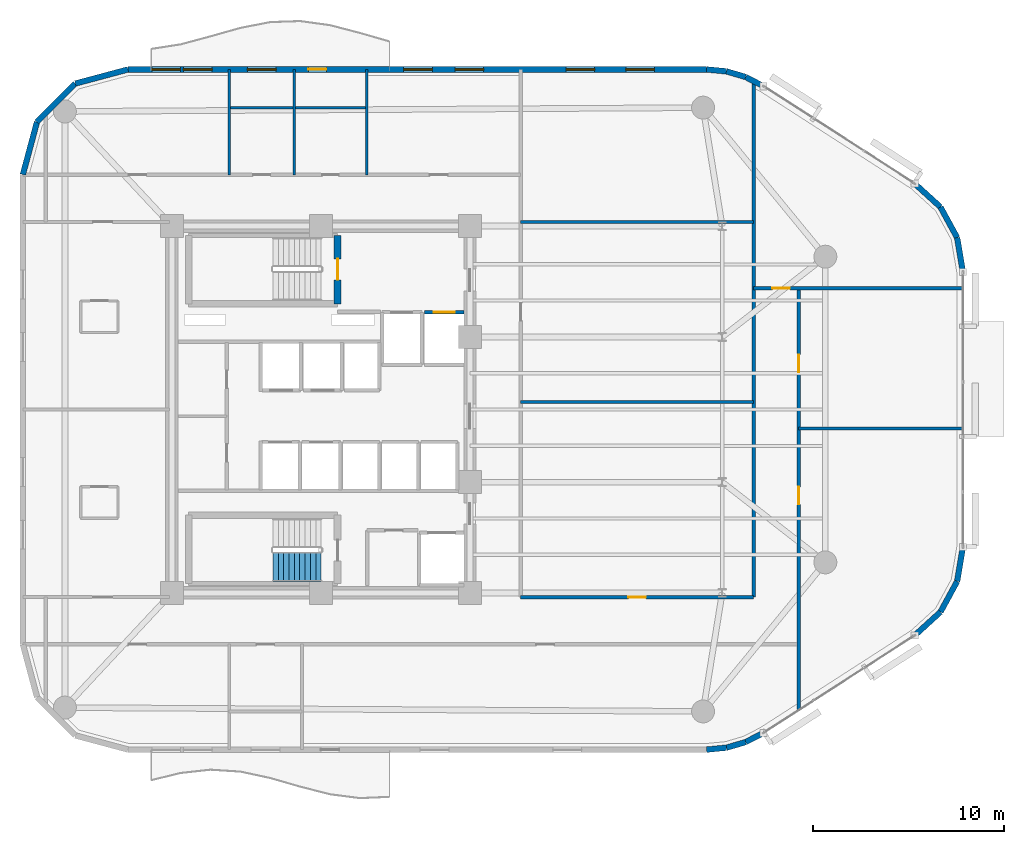
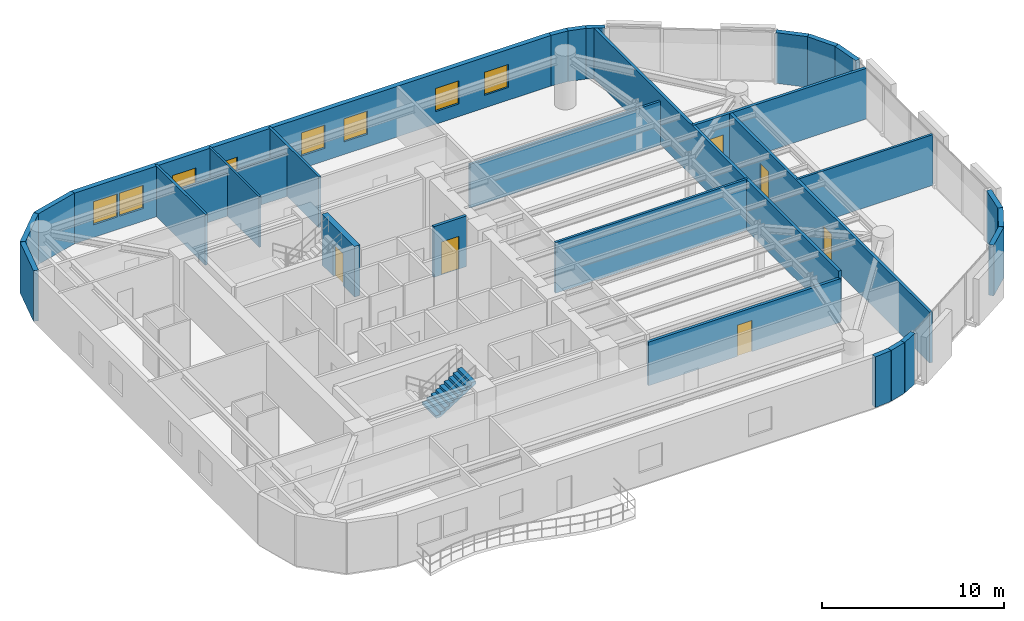
# One storey, part 12 of 15: 29 walls, 7 doors, 7 windows, 1 stair flight, 14 openings, 1 element without a shape of its own.
"""IFC4 building model written with IfcOpenShell, lengths in metres."""

from ifc_helpers import new_model, si_unit, direction, frame, frame_2d, origin, place, context, subcontext, project, spatial, polyline, rectangle, outline, extrude, material, layer, layer_set, type_object, element, fill, aggregate, save


model = new_model("IFC4")

# Units and contexts
model_context = context("Model", 3, precision=1e-05, world=origin(), true_north=direction((0.0, 1.0)))
body_context = subcontext(model_context, "Body", "Model", "MODEL_VIEW")
ifc_project = project(units=[si_unit("LENGTHUNIT", "METRE"), si_unit("AREAUNIT", "SQUARE_METRE"), si_unit("VOLUMEUNIT", "CUBIC_METRE"), si_unit("PLANEANGLEUNIT", "RADIAN"), si_unit("MASSUNIT", "GRAM", prefix="KILO")], contexts=[model_context])

# Site, building, storey
site_placement = place(None, origin())
site = spatial("IfcSite", under=ifc_project, at=site_placement, CompositionType="ELEMENT")
building_placement = place(site_placement, origin())
building = spatial("IfcBuilding", under=site, at=building_placement, Name="An Khanh Terracotta Commons", CompositionType="ELEMENT")
storey_placement = place(building_placement, frame((0.0, 0.0, 165.39990234375)))
storey = spatial("IfcBuildingStorey", under=building, at=storey_placement, Name="L43", CompositionType="ELEMENT", Elevation=165.39990234375)

# Wall, opening, door
ifc_material_1 = material(Name="Fire-Rated Gypsum Board on Steel Stud", Category="steel")
ifc_layer_1 = layer(ifc_material_1, 0.179931640625, Name="Fire-Rated Gypsum Board on Steel Stud")
ifc_layer_set_1 = layer_set([ifc_layer_1], Name="Fire-Rated Gypsum Board on Steel Stud")
wall_type_1 = type_object("IfcWallType", Name="WALL-CORR-180", PredefinedType="PARTITIONING", material=ifc_layer_set_1)
wall_1_placement = place(storey_placement, frame((34.820068359375, 29.080078125, 0.0), z_axis=(0.0, 0.0, 1.0), x_axis=(1.0, 0.0, 0.0)))
wall_1 = element("IfcWall", 1, at=wall_1_placement, inside=storey, type_object=wall_type_1, Name="L43 Core Wall LSH-L43-FFL-02-N", PredefinedType="PARTITIONING", context=body_context, shape_type="SweptSolid", body=[
    extrude(rectangle(XDim=2.079833984375, YDim=0.179931640625, at=frame_2d((1.0400390625, 0.0))), origin(), (0.0, 0.0, 1.0), 3.400146484375),
])
opening_1_placement = place(wall_1_placement, frame((0.489990234375, 0.0, 0.0)))
opening_1 = element("IfcOpeningElement", 2, at=opening_1_placement, cuts=wall_1, Name="Opening LD-FFL-02-L43", PredefinedType="OPENING", context=body_context, shape_type="SweptSolid", body=[
    extrude(rectangle(XDim=1.10009765625, YDim=2.199951171875, at=frame_2d((0.550048828125, 1.10009765625))), frame((0.0, 0.099853515625, 0.0), z_axis=(0.0, -1.0, 0.0), x_axis=(1.0, 0.0, 0.0)), (0.0, 0.0, 1.0), 0.199951171875),
])
ifc_material_2 = material(Name="Brushed Stainless Steel Fire Landing Door", Category="steel")
door_type_1 = type_object("IfcDoorType", Name="DOOR-LD-FFL-1100", OperationType="NOTDEFINED", PredefinedType="DOOR", material=ifc_material_2)
door_1_placement = place(opening_1_placement, origin())
door_1 = element("IfcDoor", 3, at=door_1_placement, inside=storey, type_object=door_type_1, Name="L43 Lift FFL-02 Sliding Landing Door", OperationType="DOUBLE_DOOR_SLIDING", OverallHeight=2.199951171875, OverallWidth=1.10009765625, PredefinedType="DOOR", context=body_context, shape_type="SweptSolid", body=[
    extrude(rectangle(XDim=1.10009765625, YDim=2.199951171875, at=frame_2d((0.550048828125, 1.10009765625))), frame((0.0, 0.02490234375, 0.0), z_axis=(0.0, -1.0, 0.0), x_axis=(1.0, 0.0, 0.0)), (0.0, 0.0, 1.0), 0.050048828125),
])
fill(opening_1, door_1)

wall_2_placement = place(storey_placement, frame((39.85009765625, 14.179931640625, 0.0), z_axis=(0.0, 0.0, 1.0), x_axis=(1.0, 0.0, 0.0)))
wall_2 = element("IfcWall", 4, at=wall_2_placement, inside=storey, type_object=wall_type_1, Name="L43 Interior Partition IW-L43-E004", PredefinedType="PARTITIONING", context=body_context, shape_type="SweptSolid", body=[
    extrude(rectangle(XDim=12.199951171875, YDim=0.179931640625, at=frame_2d((6.10009765625, 0.0))), origin(), (0.0, 0.0, 1.0), 2.93212890625),
])
opening_2_placement = place(wall_2_placement, frame((5.639892578125, 0.0, 0.0)))
opening_2 = element("IfcOpeningElement", 5, at=opening_2_placement, cuts=wall_2, Name="Opening D-RM", PredefinedType="OPENING", context=body_context, shape_type="SweptSolid", body=[
    extrude(rectangle(XDim=0.919921875, YDim=2.10009765625, at=frame_2d((0.4599609375, 1.050048828125))), frame((0.0, 0.099853515625, 0.0), z_axis=(0.0, -1.0, 0.0), x_axis=(1.0, 0.0, 0.0)), (0.0, 0.0, 1.0), 0.199951171875),
])
ifc_material_3 = material(Name="Engineered Hardwood Timber Leaf", Category="wood")
door_type_2 = type_object("IfcDoorType", Name="DOOR-INT-920", OperationType="NOTDEFINED", PredefinedType="DOOR", material=ifc_material_3)
door_2_placement = place(opening_2_placement, origin())
door_2 = element("IfcDoor", 6, at=door_2_placement, inside=storey, type_object=door_type_2, Name="L43 WSP1 Riverfront Reading Hall Door", OperationType="SINGLE_SWING_RIGHT", OverallHeight=2.10009765625, OverallWidth=0.919921875, PredefinedType="DOOR", context=body_context, shape_type="SweptSolid", body=[
    extrude(rectangle(XDim=0.919921875, YDim=2.10009765625, at=frame_2d((0.4599609375, 1.050048828125))), frame((0.0, 0.02490234375, 0.0), z_axis=(0.0, -1.0, 0.0), x_axis=(1.0, 0.0, 0.0)), (0.0, 0.0, 1.0), 0.050048828125),
])
fill(opening_2, door_2)

wall_3_placement = place(storey_placement, frame((52.050048828125, 30.35009765625, 0.0), z_axis=(0.0, 0.0, 1.0), x_axis=(1.0, 0.0, 0.0)))
wall_3 = element("IfcWall", 7, at=wall_3_placement, inside=storey, type_object=wall_type_1, Name="L43 Interior Partition IW-L43-E008", PredefinedType="PARTITIONING", context=body_context, shape_type="SweptSolid", body=[
    extrude(rectangle(XDim=10.949951171875, YDim=0.179931640625, at=frame_2d((5.47509765625, 0.0))), origin(), (0.0, 0.0, 1.0), 3.400146484375),
])
opening_3_placement = place(wall_3_placement, frame((0.97509765625, 0.0, 0.0)))
opening_3 = element("IfcOpeningElement", 8, at=opening_3_placement, cuts=wall_3, Name="Opening D-RM", PredefinedType="OPENING", context=body_context, shape_type="SweptSolid", body=[
    extrude(rectangle(XDim=0.919921875, YDim=2.10009765625, at=frame_2d((0.4599609375, 1.050048828125))), frame((0.0, 0.099853515625, 0.0), z_axis=(0.0, -1.0, 0.0), x_axis=(1.0, 0.0, 0.0)), (0.0, 0.0, 1.0), 0.199951171875),
])
door_3_placement = place(opening_3_placement, origin())
door_3 = element("IfcDoor", 9, at=door_3_placement, inside=storey, type_object=door_type_2, Name="L43 NCAP Collaborative Study Lounge Door", OperationType="SINGLE_SWING_RIGHT", OverallHeight=2.10009765625, OverallWidth=0.919921875, PredefinedType="DOOR", context=body_context, shape_type="SweptSolid", body=[
    extrude(rectangle(XDim=0.919921875, YDim=2.10009765625, at=frame_2d((0.4599609375, 1.050048828125))), frame((0.0, 0.02490234375, 0.0), z_axis=(0.0, -1.0, 0.0), x_axis=(1.0, 0.0, 0.0)), (0.0, 0.0, 1.0), 0.050048828125),
])
fill(opening_3, door_3)

# Wall
wall_4_placement = place(storey_placement, frame((52.050048828125, 14.179931640625, 0.0), z_axis=(0.0, 0.0, 1.0), x_axis=(0.0, 1.0, 0.0)))
element("IfcWall", 10, at=wall_4_placement, inside=storey, type_object=wall_type_1, Name="L43 Interior Partition IW-L43-E021", PredefinedType="PARTITIONING", context=body_context, shape_type="SweptSolid", body=[
    extrude(rectangle(XDim=27.008056640625, YDim=0.179931640625, at=frame_2d((13.50390625, 0.0))), origin(), (0.0, 0.0, 1.0), 3.400146484375),
])

# Wall, openings, doors
wall_5_placement = place(storey_placement, frame((54.39990234375, 8.260986328125, 0.0), z_axis=(0.0, 0.0, 1.0), x_axis=(0.0, 1.0, 0.0)))
wall_5 = element("IfcWall", 11, at=wall_5_placement, inside=storey, type_object=wall_type_1, Name="L43 Interior Partition IW-L43-E022", PredefinedType="PARTITIONING", context=body_context, shape_type="SweptSolid", body=[
    extrude(rectangle(XDim=22.089111328125, YDim=0.179931640625, at=frame_2d((11.04443359375, 0.0))), origin(), (0.0, 0.0, 1.0), 3.400146484375),
])
opening_4_placement = place(wall_5_placement, frame((17.694091796875, 0.0, 0.0)))
opening_4 = element("IfcOpeningElement", 12, at=opening_4_placement, cuts=wall_5, Name="Opening D-RM", PredefinedType="OPENING", context=body_context, shape_type="SweptSolid", body=[
    extrude(rectangle(XDim=0.919921875, YDim=2.10009765625, at=frame_2d((0.4599609375, 1.050048828125))), frame((0.0, 0.099853515625, 0.0), z_axis=(0.0, -1.0, 0.0), x_axis=(1.0, 0.0, 0.0)), (0.0, 0.0, 1.0), 0.199951171875),
])
opening_5_placement = place(wall_5_placement, frame((10.77099609375, 0.0, 0.0)))
opening_5 = element("IfcOpeningElement", 13, at=opening_5_placement, cuts=wall_5, Name="Opening D-RM", PredefinedType="OPENING", context=body_context, shape_type="SweptSolid", body=[
    extrude(rectangle(XDim=0.919921875, YDim=2.10009765625, at=frame_2d((0.4599609375, 1.050048828125))), frame((0.0, 0.099853515625, 0.0), z_axis=(0.0, -1.0, 0.0), x_axis=(1.0, 0.0, 0.0)), (0.0, 0.0, 1.0), 0.199951171875),
])
door_4_placement = place(opening_4_placement, origin())
door_4 = element("IfcDoor", 14, at=door_4_placement, inside=storey, type_object=door_type_2, Name="L43 ENO1 Collaborative Study Lounge Door", OperationType="SINGLE_SWING_LEFT", OverallHeight=2.10009765625, OverallWidth=0.919921875, PredefinedType="DOOR", context=body_context, shape_type="SweptSolid", body=[
    extrude(rectangle(XDim=0.919921875, YDim=2.10009765625, at=frame_2d((0.4599609375, 1.050048828125))), frame((0.0, 0.02490234375, 0.0), z_axis=(0.0, -1.0, 0.0), x_axis=(1.0, 0.0, 0.0)), (0.0, 0.0, 1.0), 0.050048828125),
])
fill(opening_4, door_4)
door_5_placement = place(opening_5_placement, origin())
door_5 = element("IfcDoor", 15, at=door_5_placement, inside=storey, type_object=door_type_2, Name="L43 ENO2 Collaborative Study Lounge Door", OperationType="SINGLE_SWING_RIGHT", OverallHeight=2.10009765625, OverallWidth=0.919921875, PredefinedType="DOOR", context=body_context, shape_type="SweptSolid", body=[
    extrude(rectangle(XDim=0.919921875, YDim=2.10009765625, at=frame_2d((0.4599609375, 1.050048828125))), frame((0.0, 0.02490234375, 0.0), z_axis=(0.0, -1.0, 0.0), x_axis=(1.0, 0.0, 0.0)), (0.0, 0.0, 1.0), 0.050048828125),
])
fill(opening_5, door_5)

# Walls
ifc_material_4 = material(Name="Precast concrete C40/50", Category="concrete")
ifc_layer_2 = layer(ifc_material_4, 0.300048828125, Name="Precast concrete C40/50")
ifc_layer_set_2 = layer_set([ifc_layer_2], Name="Precast concrete C40/50")
wall_type_2 = type_object("IfcWallType", Name="WALL-EXT-300", PredefinedType="SOLIDWALL", material=ifc_layer_set_2)
wall_6_placement = place(storey_placement, frame((49.58203125, 6.199951171875, 0.0), z_axis=(0.0, 0.0, 1.0), x_axis=(0.995426089968, 0.095534807324, 0.0)))
element("IfcWall", 16, at=wall_6_placement, inside=storey, type_object=wall_type_2, Name="L43 Insulated Terracotta Exterior Wall 5", PredefinedType="SOLIDWALL", context=body_context, shape_type="SweptSolid", body=[
    extrude(rectangle(XDim=1.0478515625, YDim=0.300048828125, at=frame_2d((0.52392578125, 0.0))), origin(), (0.0, 0.0, 1.0), 3.400146484375),
])
wall_7_placement = place(storey_placement, frame((50.625, 6.300048828125, 0.0), z_axis=(0.0, 0.0, 1.0), x_axis=(0.959528674476, 0.281610942363, 0.0)))
element("IfcWall", 17, at=wall_7_placement, inside=storey, type_object=wall_type_2, Name="L43 Insulated Terracotta Exterior Wall 6", PredefinedType="SOLIDWALL", context=body_context, shape_type="SweptSolid", body=[
    extrude(rectangle(XDim=1.04736328125, YDim=0.300048828125, at=frame_2d((0.523681640625, 0.0))), origin(), (0.0, 0.0, 1.0), 3.400146484375),
])
wall_8_placement = place(storey_placement, frame((51.6298828125, 6.594970703125, 0.0), z_axis=(0.0, 0.0, 1.0), x_axis=(0.888283247196, 0.459296062198, 0.0)))
element("IfcWall", 18, at=wall_8_placement, inside=storey, type_object=wall_type_2, Name="L43 Insulated Terracotta Exterior Wall 7", PredefinedType="SOLIDWALL", context=body_context, shape_type="SweptSolid", body=[
    extrude(rectangle(XDim=1.047119140625, YDim=0.300048828125, at=frame_2d((0.5234375, 0.0))), origin(), (0.0, 0.0, 1.0), 3.400146484375),
])
wall_9_placement = place(storey_placement, frame((60.47802734375, 12.176025390625, 0.0), z_axis=(0.0, 0.0, 1.0), x_axis=(0.73947929393, 0.673179302897, 0.0)))
element("IfcWall", 19, at=wall_9_placement, inside=storey, type_object=wall_type_2, Name="L43 Insulated Terracotta Exterior Wall 9", PredefinedType="SOLIDWALL", context=body_context, shape_type="SweptSolid", body=[
    extrude(rectangle(XDim=1.82275390625, YDim=0.300048828125, at=frame_2d((0.911376953125, 0.0))), origin(), (0.0, 0.0, 1.0), 3.400146484375),
])
wall_10_placement = place(storey_placement, frame((61.825927734375, 13.403076171875, 0.0), z_axis=(0.0, 0.0, 1.0), x_axis=(0.478608030646, 0.878028674362, 0.0)))
element("IfcWall", 20, at=wall_10_placement, inside=storey, type_object=wall_type_2, Name="L43 Insulated Terracotta Exterior Wall 10", PredefinedType="SOLIDWALL", context=body_context, shape_type="SweptSolid", body=[
    extrude(rectangle(XDim=1.822021484375, YDim=0.300048828125, at=frame_2d((0.9111328125, 0.0))), origin(), (0.0, 0.0, 1.0), 3.400146484375),
])
for number, where, z_axis, x_axis, name in (
    (21, (62.697998046875, 15.0029296875, 0.0), (0.0, 0.0, 1.0), (0.165724081207, 0.986172159873, 0.0), "L43 Insulated Terracotta Exterior Wall 11"),
    (22, (63.0, 31.199951171875, 0.0), (0.0, 0.0, 1.0), (-0.165724081207, 0.986172159873, 0.0), "L43 Insulated Terracotta Exterior Wall 13"),
):
    element("IfcWall", number, at=place(storey_placement, frame(where, z_axis=z_axis, x_axis=x_axis)), inside=storey, type_object=wall_type_2, Name=name, PredefinedType="SOLIDWALL", context=body_context, shape_type="SweptSolid", body=[
        extrude(rectangle(XDim=1.822265625, YDim=0.300048828125, at=frame_2d((0.9111328125, 0.0))), origin(), (0.0, 0.0, 1.0), 3.400146484375),
    ])
wall_11_placement = place(storey_placement, frame((62.697998046875, 32.9970703125, 0.0), z_axis=(0.0, 0.0, 1.0), x_axis=(-0.478608030646, 0.878028674362, 0.0)))
element("IfcWall", 23, at=wall_11_placement, inside=storey, type_object=wall_type_2, Name="L43 Insulated Terracotta Exterior Wall 14", PredefinedType="SOLIDWALL", context=body_context, shape_type="SweptSolid", body=[
    extrude(rectangle(XDim=1.822021484375, YDim=0.300048828125, at=frame_2d((0.9111328125, 0.0))), origin(), (0.0, 0.0, 1.0), 3.400146484375),
])
wall_12_placement = place(storey_placement, frame((61.825927734375, 34.596923828125, 0.0), z_axis=(0.0, 0.0, 1.0), x_axis=(-0.73947929393, 0.673179302897, 0.0)))
element("IfcWall", 24, at=wall_12_placement, inside=storey, type_object=wall_type_2, Name="L43 Insulated Terracotta Exterior Wall 15", PredefinedType="SOLIDWALL", context=body_context, shape_type="SweptSolid", body=[
    extrude(rectangle(XDim=1.82275390625, YDim=0.300048828125, at=frame_2d((0.911376953125, 0.0))), origin(), (0.0, 0.0, 1.0), 3.400146484375),
])
wall_13_placement = place(storey_placement, frame((52.56005859375, 40.924072265625, 0.0), z_axis=(0.0, 0.0, 1.0), x_axis=(-0.888283247196, 0.459296062198, 0.0)))
element("IfcWall", 25, at=wall_13_placement, inside=storey, type_object=wall_type_2, Name="L43 Insulated Terracotta Exterior Wall 17", PredefinedType="SOLIDWALL", context=body_context, shape_type="SweptSolid", body=[
    extrude(rectangle(XDim=1.047119140625, YDim=0.300048828125, at=frame_2d((0.5234375, 0.0))), origin(), (0.0, 0.0, 1.0), 3.400146484375),
])
wall_14_placement = place(storey_placement, frame((51.6298828125, 41.405029296875, 0.0), z_axis=(0.0, 0.0, 1.0), x_axis=(-0.959528674476, 0.281610942363, 0.0)))
element("IfcWall", 26, at=wall_14_placement, inside=storey, type_object=wall_type_2, Name="L43 Insulated Terracotta Exterior Wall 18", PredefinedType="SOLIDWALL", context=body_context, shape_type="SweptSolid", body=[
    extrude(rectangle(XDim=1.04736328125, YDim=0.300048828125, at=frame_2d((0.523681640625, 0.0))), origin(), (0.0, 0.0, 1.0), 3.400146484375),
])
wall_15_placement = place(storey_placement, frame((50.625, 41.699951171875, 0.0), z_axis=(0.0, 0.0, 1.0), x_axis=(-0.995426089968, 0.095534807324, 0.0)))
element("IfcWall", 27, at=wall_15_placement, inside=storey, type_object=wall_type_2, Name="L43 Insulated Terracotta Exterior Wall 19", PredefinedType="SOLIDWALL", context=body_context, shape_type="SweptSolid", body=[
    extrude(rectangle(XDim=1.0478515625, YDim=0.300048828125, at=frame_2d((0.52392578125, 0.0))), origin(), (0.0, 0.0, 1.0), 3.400146484375),
])

# Wall, openings, door, windows
wall_16_placement = place(storey_placement, frame((49.58203125, 41.800048828125, 0.0), z_axis=(0.0, 0.0, 1.0), x_axis=(-1.0, 0.0, 0.0)))
wall_16 = element("IfcWall", 28, at=wall_16_placement, inside=storey, type_object=wall_type_2, Name="L43 Insulated Terracotta Exterior Wall 20", PredefinedType="SOLIDWALL", context=body_context, shape_type="SweptSolid", body=[
    extrude(rectangle(XDim=30.281982421875, YDim=0.300048828125, at=frame_2d((15.14111328125, 0.0))), origin(), (0.0, 0.0, 1.0), 3.400146484375),
])
opening_6_placement = place(wall_16_placement, frame((19.89501953125, 0.0, 0.0)))
opening_6 = element("IfcOpeningElement", 29, at=opening_6_placement, cuts=wall_16, Name="Opening D-BAL", PredefinedType="OPENING", context=body_context, shape_type="SweptSolid", body=[
    extrude(rectangle(XDim=0.949951171875, YDim=2.199951171875, at=frame_2d((0.47509765625, 1.10009765625))), frame((0.0, 0.159912109375, 0.0), z_axis=(0.0, -1.0, 0.0), x_axis=(1.0, 0.0, 0.0)), (0.0, 0.0, 1.0), 0.320068359375),
])
opening_7_placement = place(wall_16_placement, frame((2.72705078125, 0.0, 0.85009765625)))
opening_7 = element("IfcOpeningElement", 30, at=opening_7_placement, cuts=wall_16, Name="Opening W-03", PredefinedType="OPENING", context=body_context, shape_type="SweptSolid", body=[
    extrude(rectangle(XDim=1.5, YDim=1.550048828125, at=frame_2d((0.75, 0.77490234375))), frame((0.0, 0.159912109375, 0.0), z_axis=(0.0, -1.0, 0.0), x_axis=(1.0, 0.0, 0.0)), (0.0, 0.0, 1.0), 0.320068359375),
])
opening_8_placement = place(wall_16_placement, frame((5.85498046875, 0.0, 0.85009765625)))
opening_8 = element("IfcOpeningElement", 31, at=opening_8_placement, cuts=wall_16, Name="Opening W-03", PredefinedType="OPENING", context=body_context, shape_type="SweptSolid", body=[
    extrude(rectangle(XDim=1.5, YDim=1.550048828125, at=frame_2d((0.75, 0.77490234375))), frame((0.0, 0.159912109375, 0.0), z_axis=(0.0, -1.0, 0.0), x_axis=(1.0, 0.0, 0.0)), (0.0, 0.0, 1.0), 0.320068359375),
])
opening_9_placement = place(wall_16_placement, frame((11.6650390625, 0.0, 0.85009765625)))
opening_9 = element("IfcOpeningElement", 32, at=opening_9_placement, cuts=wall_16, Name="Opening W-03", PredefinedType="OPENING", context=body_context, shape_type="SweptSolid", body=[
    extrude(rectangle(XDim=1.5, YDim=1.550048828125, at=frame_2d((0.75, 0.77490234375))), frame((0.0, 0.159912109375, 0.0), z_axis=(0.0, -1.0, 0.0), x_axis=(1.0, 0.0, 0.0)), (0.0, 0.0, 1.0), 0.320068359375),
])
opening_10_placement = place(wall_16_placement, frame((14.34912109375, 0.0, 0.85009765625)))
opening_10 = element("IfcOpeningElement", 33, at=opening_10_placement, cuts=wall_16, Name="Opening W-03", PredefinedType="OPENING", context=body_context, shape_type="SweptSolid", body=[
    extrude(rectangle(XDim=1.5, YDim=1.550048828125, at=frame_2d((0.75, 0.77490234375))), frame((0.0, 0.159912109375, 0.0), z_axis=(0.0, -1.0, 0.0), x_axis=(1.0, 0.0, 0.0)), (0.0, 0.0, 1.0), 0.320068359375),
])
opening_11_placement = place(wall_16_placement, frame((22.531982421875, 0.0, 0.85009765625)))
opening_11 = element("IfcOpeningElement", 34, at=opening_11_placement, cuts=wall_16, Name="Opening W-03", PredefinedType="OPENING", context=body_context, shape_type="SweptSolid", body=[
    extrude(rectangle(XDim=1.5, YDim=1.550048828125, at=frame_2d((0.75, 0.77490234375))), frame((0.0, 0.159912109375, 0.0), z_axis=(0.0, -1.0, 0.0), x_axis=(1.0, 0.0, 0.0)), (0.0, 0.0, 1.0), 0.320068359375),
])
opening_12_placement = place(wall_16_placement, frame((25.882080078125, 0.0, 0.85009765625)))
opening_12 = element("IfcOpeningElement", 35, at=opening_12_placement, cuts=wall_16, Name="Opening W-03", PredefinedType="OPENING", context=body_context, shape_type="SweptSolid", body=[
    extrude(rectangle(XDim=1.5, YDim=1.550048828125, at=frame_2d((0.75, 0.77490234375))), frame((0.0, 0.159912109375, 0.0), z_axis=(0.0, -1.0, 0.0), x_axis=(1.0, 0.0, 0.0)), (0.0, 0.0, 1.0), 0.320068359375),
])
opening_13_placement = place(wall_16_placement, frame((27.531982421875, 0.0, 0.85009765625)))
opening_13 = element("IfcOpeningElement", 36, at=opening_13_placement, cuts=wall_16, Name="Opening W-03", PredefinedType="OPENING", context=body_context, shape_type="SweptSolid", body=[
    extrude(rectangle(XDim=1.5, YDim=1.550048828125, at=frame_2d((0.75, 0.77490234375))), frame((0.0, 0.159912109375, 0.0), z_axis=(0.0, -1.0, 0.0), x_axis=(1.0, 0.0, 0.0)), (0.0, 0.0, 1.0), 0.320068359375),
])
ifc_material_5 = material(Name="Thermally Broken Aluminium and Low-E Glass", Category="aluminium")
door_type_3 = type_object("IfcDoorType", Name="DOOR-BALC-950", OperationType="NOTDEFINED", PredefinedType="DOOR", material=ifc_material_5)
door_6_placement = place(opening_6_placement, origin())
door_6 = element("IfcDoor", 37, at=door_6_placement, inside=storey, type_object=door_type_3, Name="L43 N Wave Balcony Glazed Door", OperationType="SINGLE_SWING_RIGHT", OverallHeight=2.199951171875, OverallWidth=0.949951171875, PredefinedType="DOOR", context=body_context, shape_type="SweptSolid", body=[
    extrude(rectangle(XDim=0.949951171875, YDim=2.199951171875, at=frame_2d((0.47509765625, 1.10009765625))), frame((0.0, 0.02490234375, 0.0), z_axis=(0.0, -1.0, 0.0), x_axis=(1.0, 0.0, 0.0)), (0.0, 0.0, 1.0), 0.050048828125),
])
fill(opening_6, door_6)
window_type = type_object("IfcWindowType", Name="WIN-Z3-1500x1550", PartitioningType="DOUBLE_PANEL_VERTICAL", PredefinedType="WINDOW", material=ifc_material_5)
window_1_placement = place(opening_7_placement, origin())
window_1 = element("IfcWindow", 38, at=window_1_placement, inside=storey, type_object=window_type, Name="L43 Operable Casement Window 20.1", OverallHeight=1.550048828125, OverallWidth=1.5, PartitioningType="DOUBLE_PANEL_VERTICAL", PredefinedType="WINDOW", context=body_context, shape_type="SweptSolid", body=[
    extrude(rectangle(XDim=1.5, YDim=1.550048828125, at=frame_2d((0.75, 0.77490234375))), frame((0.0, 0.030029296875, 0.0), z_axis=(0.0, -1.0, 0.0), x_axis=(1.0, 0.0, 0.0)), (0.0, 0.0, 1.0), 0.06005859375),
])
fill(opening_7, window_1)
window_2_placement = place(opening_8_placement, origin())
window_2 = element("IfcWindow", 39, at=window_2_placement, inside=storey, type_object=window_type, Name="L43 Operable Casement Window 20.2", OverallHeight=1.550048828125, OverallWidth=1.5, PartitioningType="DOUBLE_PANEL_VERTICAL", PredefinedType="WINDOW", context=body_context, shape_type="SweptSolid", body=[
    extrude(rectangle(XDim=1.5, YDim=1.550048828125, at=frame_2d((0.75, 0.77490234375))), frame((0.0, 0.030029296875, 0.0), z_axis=(0.0, -1.0, 0.0), x_axis=(1.0, 0.0, 0.0)), (0.0, 0.0, 1.0), 0.06005859375),
])
fill(opening_8, window_2)
window_3_placement = place(opening_9_placement, origin())
window_3 = element("IfcWindow", 40, at=window_3_placement, inside=storey, type_object=window_type, Name="L43 Operable Casement Window 20.3", OverallHeight=1.550048828125, OverallWidth=1.5, PartitioningType="DOUBLE_PANEL_VERTICAL", PredefinedType="WINDOW", context=body_context, shape_type="SweptSolid", body=[
    extrude(rectangle(XDim=1.5, YDim=1.550048828125, at=frame_2d((0.75, 0.77490234375))), frame((0.0, 0.030029296875, 0.0), z_axis=(0.0, -1.0, 0.0), x_axis=(1.0, 0.0, 0.0)), (0.0, 0.0, 1.0), 0.06005859375),
])
fill(opening_9, window_3)
window_4_placement = place(opening_10_placement, origin())
window_4 = element("IfcWindow", 41, at=window_4_placement, inside=storey, type_object=window_type, Name="L43 Operable Casement Window 20.4", OverallHeight=1.550048828125, OverallWidth=1.5, PartitioningType="DOUBLE_PANEL_VERTICAL", PredefinedType="WINDOW", context=body_context, shape_type="SweptSolid", body=[
    extrude(rectangle(XDim=1.5, YDim=1.550048828125, at=frame_2d((0.75, 0.77490234375))), frame((0.0, 0.030029296875, 0.0), z_axis=(0.0, -1.0, 0.0), x_axis=(1.0, 0.0, 0.0)), (0.0, 0.0, 1.0), 0.06005859375),
])
fill(opening_10, window_4)
window_5_placement = place(opening_11_placement, origin())
window_5 = element("IfcWindow", 42, at=window_5_placement, inside=storey, type_object=window_type, Name="L43 Operable Casement Window 20.5", OverallHeight=1.550048828125, OverallWidth=1.5, PartitioningType="DOUBLE_PANEL_VERTICAL", PredefinedType="WINDOW", context=body_context, shape_type="SweptSolid", body=[
    extrude(rectangle(XDim=1.5, YDim=1.550048828125, at=frame_2d((0.75, 0.77490234375))), frame((0.0, 0.030029296875, 0.0), z_axis=(0.0, -1.0, 0.0), x_axis=(1.0, 0.0, 0.0)), (0.0, 0.0, 1.0), 0.06005859375),
])
fill(opening_11, window_5)
window_6_placement = place(opening_12_placement, origin())
window_6 = element("IfcWindow", 43, at=window_6_placement, inside=storey, type_object=window_type, Name="L43 Operable Casement Window 20.6", OverallHeight=1.550048828125, OverallWidth=1.5, PartitioningType="DOUBLE_PANEL_VERTICAL", PredefinedType="WINDOW", context=body_context, shape_type="SweptSolid", body=[
    extrude(rectangle(XDim=1.5, YDim=1.550048828125, at=frame_2d((0.75, 0.77490234375))), frame((0.0, 0.030029296875, 0.0), z_axis=(0.0, -1.0, 0.0), x_axis=(1.0, 0.0, 0.0)), (0.0, 0.0, 1.0), 0.06005859375),
])
fill(opening_12, window_6)
window_7_placement = place(opening_13_placement, origin())
window_7 = element("IfcWindow", 44, at=window_7_placement, inside=storey, type_object=window_type, Name="L43 Operable Casement Window 20.7", OverallHeight=1.550048828125, OverallWidth=1.5, PartitioningType="DOUBLE_PANEL_VERTICAL", PredefinedType="WINDOW", context=body_context, shape_type="SweptSolid", body=[
    extrude(rectangle(XDim=1.5, YDim=1.550048828125, at=frame_2d((0.75, 0.77490234375))), frame((0.0, 0.030029296875, 0.0), z_axis=(0.0, -1.0, 0.0), x_axis=(1.0, 0.0, 0.0)), (0.0, 0.0, 1.0), 0.06005859375),
])
fill(opening_13, window_7)

# Walls
wall_17_placement = place(storey_placement, frame((19.300048828125, 41.800048828125, 0.0), z_axis=(0.0, 0.0, 1.0), x_axis=(-0.965908238586, -0.258884674387, 0.0)))
element("IfcWall", 45, at=wall_17_placement, inside=storey, type_object=wall_type_2, Name="L43 Insulated Terracotta Exterior Wall 21", PredefinedType="SOLIDWALL", context=body_context, shape_type="SweptSolid", body=[
    extrude(rectangle(XDim=2.84716796875, YDim=0.300048828125, at=frame_2d((1.423583984375, 0.0))), origin(), (0.0, 0.0, 1.0), 3.400146484375),
])
wall_18_placement = place(storey_placement, frame((16.550048828125, 41.06298828125, 0.0), z_axis=(0.0, 0.0, 1.0), x_axis=(-0.707106781187, -0.707106781187, 0.0)))
element("IfcWall", 46, at=wall_18_placement, inside=storey, type_object=wall_type_2, Name="L43 Insulated Terracotta Exterior Wall 22", PredefinedType="SOLIDWALL", context=body_context, shape_type="SweptSolid", body=[
    extrude(rectangle(XDim=2.8466796875, YDim=0.300048828125, at=frame_2d((1.42333984375, 0.0))), origin(), (0.0, 0.0, 1.0), 3.400146484375),
])
wall_19_placement = place(storey_placement, frame((14.537109375, 39.050048828125, 0.0), z_axis=(0.0, 0.0, 1.0), x_axis=(-0.258884674387, -0.965908238586, 0.0)))
element("IfcWall", 47, at=wall_19_placement, inside=storey, type_object=wall_type_2, Name="L43 Insulated Terracotta Exterior Wall 23", PredefinedType="SOLIDWALL", context=body_context, shape_type="SweptSolid", body=[
    extrude(rectangle(XDim=2.84716796875, YDim=0.300048828125, at=frame_2d((1.423583984375, 0.0))), origin(), (0.0, 0.0, 1.0), 3.400146484375),
])
ifc_material_6 = material(Name="Acoustic Gypsum Board Partition")
ifc_layer_3 = layer(ifc_material_6, 0.14990234375, Name="Acoustic Gypsum Board Partition")
ifc_layer_set_3 = layer_set([ifc_layer_3], Name="Acoustic Gypsum Board Partition")
wall_type_3 = type_object("IfcWallType", Name="WALL-PART-150", PredefinedType="PARTITIONING", material=ifc_layer_set_3)
wall_20_placement = place(storey_placement, frame((54.39990234375, 23.0, 0.0), z_axis=(0.0, 0.0, 1.0), x_axis=(1.0, 0.0, 0.0)))
element("IfcWall", 48, at=wall_20_placement, inside=storey, type_object=wall_type_3, Name="L43 Interior Partition IW-L43-E005", PredefinedType="PARTITIONING", context=body_context, shape_type="SweptSolid", body=[
    extrude(rectangle(XDim=8.60009765625, YDim=0.14990234375, at=frame_2d((4.300048828125, 0.0))), origin(), (0.0, 0.0, 1.0), 3.400146484375),
])
wall_21_placement = place(storey_placement, frame((39.85009765625, 24.39990234375, 0.0), z_axis=(0.0, 0.0, 1.0), x_axis=(1.0, 0.0, 0.0)))
element("IfcWall", 49, at=wall_21_placement, inside=storey, type_object=wall_type_3, Name="L43 Interior Partition IW-L43-E007", PredefinedType="PARTITIONING", context=body_context, shape_type="SweptSolid", body=[
    extrude(rectangle(XDim=12.199951171875, YDim=0.14990234375, at=frame_2d((6.10009765625, 0.0))), origin(), (0.0, 0.0, 1.0), 3.400146484375),
])
wall_22_placement = place(storey_placement, frame((39.85009765625, 33.820068359375, 0.0), z_axis=(0.0, 0.0, 1.0), x_axis=(1.0, 0.0, 0.0)))
element("IfcWall", 50, at=wall_22_placement, inside=storey, type_object=wall_type_3, Name="L43 Interior Partition IW-L43-E010", PredefinedType="PARTITIONING", context=body_context, shape_type="SweptSolid", body=[
    extrude(rectangle(XDim=12.199951171875, YDim=0.14990234375, at=frame_2d((6.10009765625, 0.0))), origin(), (0.0, 0.0, 1.0), 2.93212890625),
])
for number, where, z_axis, x_axis, name in (
    (51, (24.60009765625, 36.280029296875, 0.0), (0.0, 0.0, 1.0), (0.0, 1.0, 0.0), "L43 Interior Partition IW-L43-E016"),
    (52, (31.800048828125, 36.280029296875, 0.0), (0.0, 0.0, 1.0), (0.0, 1.0, 0.0), "L43 Interior Partition IW-L43-E019"),
):
    element("IfcWall", number, at=place(storey_placement, frame(where, z_axis=z_axis, x_axis=x_axis)), inside=storey, type_object=wall_type_3, Name=name, PredefinedType="PARTITIONING", context=body_context, shape_type="SweptSolid", body=[
        extrude(rectangle(XDim=5.52001953125, YDim=0.14990234375, at=frame_2d((2.760009765625, 0.0))), origin(), (0.0, 0.0, 1.0), 3.400146484375),
    ])

# Wall, opening, door
ifc_material_7 = material(Name="Concrete C50/60", Category="concrete")
ifc_layer_4 = layer(ifc_material_7, 0.35009765625, Name="Concrete C50/60")
ifc_layer_set_4 = layer_set([ifc_layer_4], Name="Concrete C50/60")
wall_type_4 = type_object("IfcWallType", Name="WALL-SHAFT-350", PredefinedType="SOLIDWALL", material=ifc_layer_set_4)
wall_23_placement = place(storey_placement, frame((30.27001953125, 29.530029296875, 0.0), z_axis=(0.0, 0.0, 1.0), x_axis=(0.0, 1.0, 0.0)))
wall_23 = element("IfcWall", 53, at=wall_23_placement, inside=storey, type_object=wall_type_4, Name="L43 Core Wall STW-L43-N-E", PredefinedType="SOLIDWALL", context=body_context, shape_type="SweptSolid", body=[
    extrude(rectangle(XDim=3.580078125, YDim=0.35009765625, at=frame_2d((1.7900390625, 0.0))), origin(), (0.0, 0.0, 1.0), 3.400146484375),
])
opening_14_placement = place(wall_23_placement, frame((1.25, 0.0, 0.0)))
opening_14 = element("IfcOpeningElement", 54, at=opening_14_placement, cuts=wall_23, Name="Opening D-ST", PredefinedType="OPENING", context=body_context, shape_type="SweptSolid", body=[
    extrude(rectangle(XDim=1.10009765625, YDim=2.14990234375, at=frame_2d((0.550048828125, 1.074951171875))), frame((0.0, 0.18505859375, 0.0), z_axis=(0.0, -1.0, 0.0), x_axis=(1.0, 0.0, 0.0)), (0.0, 0.0, 1.0), 0.3701171875),
])
ifc_material_8 = material(Name="Fire-Rated Steel Leaf and Frame", Category="steel")
door_type_4 = type_object("IfcDoorType", Name="DOOR-STAIR-1100", OperationType="NOTDEFINED", PredefinedType="DOOR", material=ifc_material_8)
door_7_placement = place(opening_14_placement, origin())
door_7 = element("IfcDoor", 55, at=door_7_placement, inside=storey, type_object=door_type_4, Name="L43 Stair ST-01 Fire Door", OperationType="SINGLE_SWING_RIGHT", OverallHeight=2.14990234375, OverallWidth=1.10009765625, PredefinedType="DOOR", context=body_context, shape_type="SweptSolid", body=[
    extrude(rectangle(XDim=1.10009765625, YDim=2.14990234375, at=frame_2d((0.550048828125, 1.074951171875))), frame((0.0, 0.02490234375, 0.0), z_axis=(0.0, -1.0, 0.0), x_axis=(1.0, 0.0, 0.0)), (0.0, 0.0, 1.0), 0.050048828125),
])
fill(opening_14, door_7)

# Walls
ifc_material_9 = material(Name="Moisture-Resistant Cement Board Partition")
ifc_layer_5 = layer(ifc_material_9, 0.1201171875, Name="Moisture-Resistant Cement Board Partition")
ifc_layer_set_5 = layer_set([ifc_layer_5], Name="Moisture-Resistant Cement Board Partition")
wall_type_5 = type_object("IfcWallType", Name="WALL-WET-120", PredefinedType="PARTITIONING", material=ifc_layer_set_5)
wall_24_placement = place(storey_placement, frame((24.60009765625, 39.800048828125, 0.0), z_axis=(0.0, 0.0, 1.0), x_axis=(1.0, 0.0, 0.0)))
element("IfcWall", 56, at=wall_24_placement, inside=storey, type_object=wall_type_5, Name="L43 Interior Partition IW-L43-E012", PredefinedType="PARTITIONING", context=body_context, shape_type="SweptSolid", body=[
    extrude(rectangle(XDim=7.199951171875, YDim=0.1201171875, at=frame_2d((3.60009765625, 0.0))), origin(), (0.0, 0.0, 1.0), 2.882080078125),
])
wall_25_placement = place(storey_placement, frame((28.0, 36.280029296875, 0.0), z_axis=(0.0, 0.0, 1.0), x_axis=(0.0, 1.0, 0.0)))
element("IfcWall", 57, at=wall_25_placement, inside=storey, type_object=wall_type_5, Name="L43 Interior Partition IW-L43-E017", PredefinedType="PARTITIONING", context=body_context, shape_type="SweptSolid", body=[
    extrude(rectangle(XDim=5.52001953125, YDim=0.1201171875, at=frame_2d((2.760009765625, 0.0))), origin(), (0.0, 0.0, 1.0), 3.400146484375),
])

# Stair, stair flight
stair_type = type_object("IfcStairType", Name="STAIR-CORE-1550", PredefinedType="HALF_TURN_STAIR", material=ifc_material_4)
stair_placement = place(storey_placement, origin())
stair = element("IfcStair", 58, at=stair_placement, inside=storey, type_object=stair_type, Name="L43 Core Smokeproof Exit Stair ST-02", PredefinedType="HALF_TURN_STAIR")
stair_flight_type = type_object("IfcStairFlightType", Name="FLIGHT-CORE-1550", PredefinedType="STRAIGHT", material=ifc_material_4)
stair_flight_placement = place(storey_placement, frame((26.889892578125, 15.77490234375, 1.800048828125), z_axis=(0.0, 0.0, 1.0), x_axis=(1.0, 0.0, 0.0)))
stair_flight = element("IfcStairFlight", 59, at=stair_flight_placement, type_object=stair_flight_type, Name="ST-02 flight 2", NumberOfRisers=10, NumberOfTreads=9, PredefinedType="STRAIGHT", RiserHeight=0.18, TreadLength=0.28, context=body_context, shape_type="SweptSolid", body=[
    extrude(outline(polyline([(0.0, 0.0), (0.0, 0.179931640625), (0.280029296875, 0.179931640625), (0.280029296875, 0.360107421875), (0.56005859375, 0.360107421875), (0.56005859375, 0.5400390625), (0.840087890625, 0.5400390625), (0.840087890625, 0.719970703125), (1.1201171875, 0.719970703125), (1.1201171875, 0.89990234375), (1.39990234375, 0.89990234375), (1.39990234375, 1.080078125), (1.679931640625, 1.080078125), (1.679931640625, 1.260009765625), (1.9599609375, 1.260009765625), (1.9599609375, 1.43994140625), (2.239990234375, 1.43994140625), (2.239990234375, 1.6201171875), (2.52001953125, 1.6201171875), (2.52001953125, 1.800048828125), (2.52001953125, 1.44189453125), (0.277099609375, 0.0), (0.0, 0.0)])), frame((0.0, 0.77490234375, 0.0), z_axis=(0.0, -1.0, 0.0), x_axis=(1.0, 0.0, 0.0)), (0.0, 0.0, 1.0), 1.550048828125),
])
aggregate(stair, [stair_flight])

save(model, "model.ifc")
